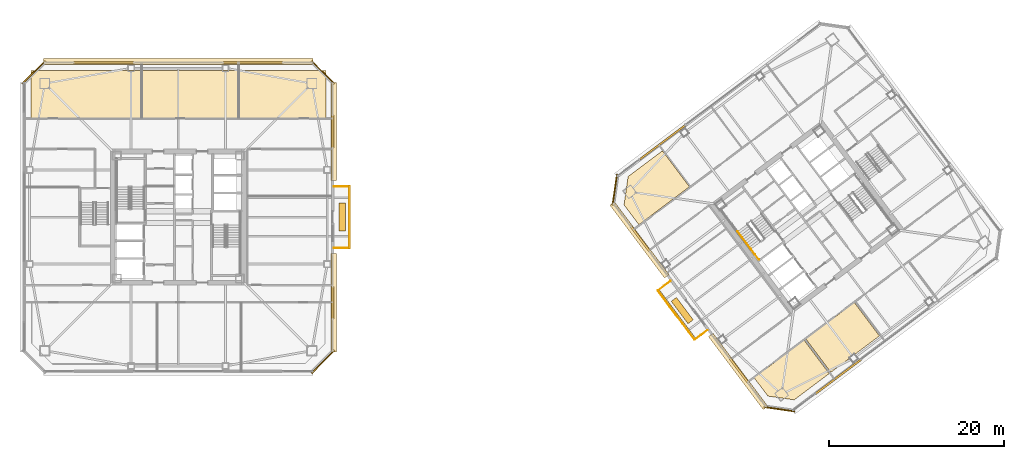
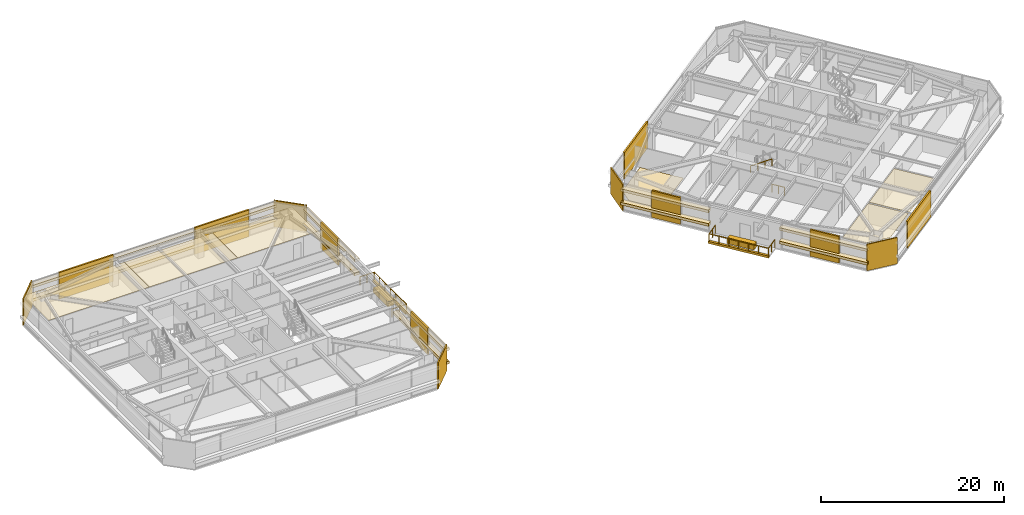
# One storey, part 38 of 41: 33 coverings, 8 railings.
"""IFC4 building model written with IfcOpenShell, lengths in metres."""

from ifc_helpers import new_model, si_unit, direction, frame, origin, origin_2d, place, context, subcontext, project, spatial, polyline, rectangle, outline, extrude, material, layer, layer_set, type_object, element, save


model = new_model("IFC4")

# Units and contexts
model_context = context("Model", 3, precision=1e-05, world=origin(), true_north=direction((0.0, 1.0)))
body_context = subcontext(model_context, "Body", "Model", "MODEL_VIEW")
ifc_project = project(units=[si_unit("LENGTHUNIT", "METRE"), si_unit("AREAUNIT", "SQUARE_METRE"), si_unit("VOLUMEUNIT", "CUBIC_METRE"), si_unit("PLANEANGLEUNIT", "RADIAN"), si_unit("MASSUNIT", "GRAM", prefix="KILO")], contexts=[model_context])

# Site, building, storey
site_placement = place(None, origin())
site = spatial("IfcSite", under=ifc_project, at=site_placement, CompositionType="ELEMENT")
building_placement = place(site_placement, origin())
building = spatial("IfcBuilding", under=site, at=building_placement, Name="Tashvorn Skyway Center", CompositionType="ELEMENT")
storey_placement = place(building_placement, frame((0.0, 0.0, 171.199951171875)))
storey = spatial("IfcBuildingStorey", under=building, at=storey_placement, Name="L46", CompositionType="ELEMENT", Elevation=171.199951171875)

# Coverings
ifc_material_1 = material(Name="Precast concrete C40/50", Category="concrete")
ifc_layer_1 = layer(ifc_material_1, 0.199951171875)
ifc_layer_set_1 = layer_set([ifc_layer_1], Name="Precast concrete C40/50")
covering_type_1 = type_object("IfcCoveringType", Name="COV-BRACE-CLAD", PredefinedType="CLADDING", material=ifc_layer_set_1)
for number, where, z_axis, x_axis, name in (
    (1, (33.45556640625, 49.679931640625, 0.0), (0.0, 0.0, 1.0), (1.0, 0.0, 0.0), "Tower 1 L46 North Unitised Curtain Wall Mega-Brace Cladding Band 1"),
    (2, (50.54443359375, 49.679931640625, 0.0), (0.0, 0.0, 1.0), (1.0, 0.0, 0.0), "Tower 1 L46 North Unitised Curtain Wall Mega-Brace Cladding Band 2"),
):
    element("IfcCovering", number, at=place(storey_placement, frame(where, z_axis=z_axis, x_axis=x_axis)), inside=storey, type_object=covering_type_1, Name=name, PredefinedType="CLADDING", context=body_context, shape_type="SweptSolid", body=[
        extrude(rectangle(XDim=6.83544921875, YDim=0.199951171875, at=origin_2d()), origin(), (0.0, 0.0, 1.0), 3.550048828125),
    ])
for number, where, z_axis, x_axis, name in (
    (3, (59.679931640625, 41.81494140625, 0.0), (0.0, 0.0, 1.0), (0.0, -1.0, 0.0), "Tower 1 L46 East Curtain Wall L Mega-Brace Cladding Band 1"),
    (4, (59.679931640625, 22.18505859375, 0.0), (0.0, 0.0, 1.0), (0.0, -1.0, 0.0), "Tower 1 L46 East Curtain Wall R Mega-Brace Cladding Band 1"),
):
    element("IfcCovering", number, at=place(storey_placement, frame(where, z_axis=z_axis, x_axis=x_axis)), inside=storey, type_object=covering_type_1, Name=name, PredefinedType="CLADDING", context=body_context, shape_type="SweptSolid", body=[
        extrude(rectangle(XDim=3.7099609375, YDim=0.199951171875, at=origin_2d()), origin(), (0.0, 0.0, 1.0), 3.550048828125),
    ])
covering_1_placement = place(storey_placement, frame((117.587890625, 13.716064453125, 0.0), z_axis=(0.0, 0.0, 1.0), x_axis=(-0.799999996291, -0.600000004945, 0.0)))
element("IfcCovering", 5, at=covering_1_placement, inside=storey, type_object=covering_type_1, Name="Tower 2 L46 South Unitised Curtain Wall Mega-Brace Cladding Band 2", PredefinedType="CLADDING", context=body_context, shape_type="SweptSolid", body=[
    extrude(rectangle(XDim=6.47998046875, YDim=0.199951171875, at=origin_2d()), origin(), (0.0, 0.0, 1.0), 3.550048828125),
])
for number, where, z_axis, x_axis, name in (
    (6, (106.22509765625, 14.39990234375, 0.0), (0.0, 0.0, 1.0), (-0.600000004945, 0.799999996291, 0.0), "Tower 2 L46 West Curtain Wall L Mega-Brace Cladding Band 1"),
    (7, (94.927001953125, 29.464111328125, 0.0), (0.0, 0.0, 1.0), (-0.600000004945, 0.799999996291, 0.0), "Tower 2 L46 West Curtain Wall R Mega-Brace Cladding Band 1"),
):
    element("IfcCovering", number, at=place(storey_placement, frame(where, z_axis=z_axis, x_axis=x_axis)), inside=storey, type_object=covering_type_1, Name=name, PredefinedType="CLADDING", context=body_context, shape_type="SweptSolid", body=[
        extrude(rectangle(XDim=3.443359375, YDim=0.199951171875, at=origin_2d()), origin(), (0.0, 0.0, 1.0), 3.550048828125),
    ])
covering_2_placement = place(storey_placement, frame((97.451904296875, 40.56396484375, 0.0), z_axis=(0.0, 0.0, 1.0), x_axis=(0.799999996291, 0.600000004945, 0.0)))
element("IfcCovering", 8, at=covering_2_placement, inside=storey, type_object=covering_type_1, Name="Tower 2 L46 North Unitised Curtain Wall Mega-Brace Cladding Band 1", PredefinedType="CLADDING", context=body_context, shape_type="SweptSolid", body=[
    extrude(rectangle(XDim=6.47998046875, YDim=0.199951171875, at=origin_2d()), origin(), (0.0, 0.0, 1.0), 3.550048828125),
])
ifc_material_2 = material(Name="Mineral-fibre acoustic ceiling tile on suspended grid")
ifc_layer_2 = layer(ifc_material_2, 0.02001953125)
ifc_layer_set_2 = layer_set([ifc_layer_2], Name="Mineral-fibre acoustic ceiling tile on suspended grid")
covering_type_2 = type_object("IfcCoveringType", Name="COV-CEIL-20", PredefinedType="CEILING", material=ifc_layer_set_2)
covering_3_placement = place(storey_placement, frame((0.0, 0.0, 2.703125)))
element("IfcCovering", 9, at=covering_3_placement, inside=storey, type_object=covering_type_2, Name="Tower 1 L46 Operations Control Room Acoustic Ceiling", PredefinedType="CEILING", context=body_context, shape_type="SweptSolid", body=[
    extrude(outline(polyline([(25.10009765625, 43.300048828125), (37.800048828125, 43.300048828125), (37.800048828125, 48.800048828125), (25.10009765625, 48.800048828125), (25.10009765625, 43.300048828125)])), origin(), (0.0, 0.0, 1.0), 0.02001953125),
])
covering_4_placement = place(storey_placement, frame((0.0, 0.0, 2.703125)))
element("IfcCovering", 10, at=covering_4_placement, inside=storey, type_object=covering_type_2, Name="Tower 1 L46 Operations Control Room Acoustic Ceiling", PredefinedType="CEILING", context=body_context, shape_type="SweptSolid", body=[
    extrude(outline(polyline([(37.800048828125, 43.300048828125), (48.89990234375, 43.300048828125), (48.89990234375, 48.800048828125), (37.800048828125, 48.800048828125), (37.800048828125, 43.300048828125)])), origin(), (0.0, 0.0, 1.0), 0.02001953125),
])
covering_5_placement = place(storey_placement, frame((0.0, 0.0, 2.703125)))
element("IfcCovering", 11, at=covering_5_placement, inside=storey, type_object=covering_type_2, Name="Tower 1 L46 Security Control Room Acoustic Ceiling", PredefinedType="CEILING", context=body_context, shape_type="SweptSolid", body=[
    extrude(outline(polyline([(48.89990234375, 43.300048828125), (58.89990234375, 43.300048828125), (58.89990234375, 48.800048828125), (48.89990234375, 48.800048828125), (48.89990234375, 43.300048828125)])), origin(), (0.0, 0.0, 1.0), 0.02001953125),
])
covering_6_placement = place(storey_placement, frame((0.0, 0.0, 2.703125)))
element("IfcCovering", 12, at=covering_6_placement, inside=storey, type_object=covering_type_2, Name="Tower 2 L46 Conference Room Acoustic Ceiling", PredefinedType="CEILING", context=body_context, shape_type="SweptSolid", body=[
    extrude(outline(polyline([(107.949951171875, 13.60009765625), (113.677978515625, 17.89599609375), (116.552001953125, 14.06396484375), (112.552001953125, 11.06396484375), (109.528076171875, 11.49609375), (107.949951171875, 13.60009765625)])), origin(), (0.0, 0.0, 1.0), 0.02001953125),
])
covering_7_placement = place(storey_placement, frame((0.0, 0.0, 2.703125)))
element("IfcCovering", 13, at=covering_7_placement, inside=storey, type_object=covering_type_2, Name="Tower 2 L46 Staff Fitness Club Acoustic Ceiling", PredefinedType="CEILING", context=body_context, shape_type="SweptSolid", body=[
    extrude(outline(polyline([(113.8701171875, 18.0400390625), (119.43798828125, 22.216064453125), (122.31201171875, 18.384033203125), (116.743896484375, 14.2080078125), (113.8701171875, 18.0400390625)])), origin(), (0.0, 0.0, 1.0), 0.02001953125),
])
ifc_material_3 = material(Name="Polished Mojave desert-aggregate terrazzo and cover plate")
ifc_layer_3 = layer(ifc_material_3, 0.0400390625)
ifc_layer_set_3 = layer_set([ifc_layer_3], Name="Polished Mojave desert-aggregate terrazzo and cover plate")
covering_type_3 = type_object("IfcCoveringType", Name="COV-FLR-40", PredefinedType="FLOORING", material=ifc_layer_set_3)
covering_8_placement = place(storey_placement, origin())
element("IfcCovering", 14, at=covering_8_placement, inside=storey, type_object=covering_type_3, Name="Tower 2 L46 Conference Room Finish Flooring", PredefinedType="FLOORING", context=body_context, shape_type="SweptSolid", body=[
    extrude(outline(polyline([(100.5458984375, 35.471923828125), (94.75390625, 31.1279296875), (93.055908203125, 33.39208984375), (93.52001953125, 36.639892578125), (97.4560546875, 39.592041015625), (100.5458984375, 35.471923828125)])), origin(), (0.0, 0.0, 1.0), 0.0400390625),
])
ifc_material_4 = material(Name="Perforated ceramic-coated bronze aluminium solar screen", Category="aluminium")
ifc_layer_4 = layer(ifc_material_4, 0.85009765625)
ifc_layer_set_4 = layer_set([ifc_layer_4], Name="Perforated ceramic-coated bronze aluminium solar screen")
covering_type_4 = type_object("IfcCoveringType", Name="COV-SOLAR-BAND", PredefinedType="CLADDING", material=ifc_layer_set_4)
for number, where, z_axis, x_axis, name in (
    (15, (42.0, 49.820068359375, 0.919921875), (0.0, 0.0, 1.0), (1.0, 0.0, 0.0), "L46 Perforated Ceramic-Metal Solar Screen Louvre Band North 1"),
    (16, (42.0, 49.820068359375, 2.72021484375), (0.0, 0.0, 1.0), (1.0, 0.0, 0.0), "L46 Perforated Ceramic-Metal Solar Screen Louvre Band North 2"),
):
    element("IfcCovering", number, at=place(storey_placement, frame(where, z_axis=z_axis, x_axis=x_axis)), inside=storey, type_object=covering_type_4, Name=name, PredefinedType="CLADDING", context=body_context, shape_type="SweptSolid", body=[
        extrude(rectangle(XDim=30.8798828125, YDim=0.639892578125, at=origin_2d()), origin(), (0.0, 0.0, 1.0), 0.360107421875),
    ])
for number, where, z_axis, x_axis, name in (
    (17, (59.820068359375, 41.81494140625, 0.919921875), (0.0, 0.0, 1.0), (0.0, -1.0, 0.0), "L46 Perforated Ceramic-Metal Solar Screen Louvre Band East 1"),
    (18, (59.820068359375, 41.81494140625, 2.72021484375), (0.0, 0.0, 1.0), (0.0, -1.0, 0.0), "L46 Perforated Ceramic-Metal Solar Screen Louvre Band East 2"),
    (19, (59.820068359375, 22.18505859375, 0.919921875), (0.0, 0.0, 1.0), (0.0, -1.0, 0.0), "L46 Perforated Ceramic-Metal Solar Screen Louvre Band East 1"),
    (20, (59.820068359375, 22.18505859375, 2.72021484375), (0.0, 0.0, 1.0), (0.0, -1.0, 0.0), "L46 Perforated Ceramic-Metal Solar Screen Louvre Band East 2"),
):
    element("IfcCovering", number, at=place(storey_placement, frame(where, z_axis=z_axis, x_axis=x_axis)), inside=storey, type_object=covering_type_4, Name=name, PredefinedType="CLADDING", context=body_context, shape_type="SweptSolid", body=[
        extrude(rectangle(XDim=11.25, YDim=0.639892578125, at=origin_2d()), origin(), (0.0, 0.0, 1.0), 0.360107421875),
    ])
for number, where, z_axis, x_axis, name in (
    (21, (106.113037109375, 14.31591796875, 0.919921875), (0.0, 0.0, 1.0), (-0.600000004945, 0.799999996291, 0.0), "L46 Perforated Ceramic-Metal Solar Screen Louvre Band West 1"),
    (22, (106.113037109375, 14.31591796875, 2.72021484375), (0.0, 0.0, 1.0), (-0.600000004945, 0.799999996291, 0.0), "L46 Perforated Ceramic-Metal Solar Screen Louvre Band West 2"),
    (23, (94.81494140625, 29.3798828125, 0.919921875), (0.0, 0.0, 1.0), (-0.600000004945, 0.799999996291, 0.0), "L46 Perforated Ceramic-Metal Solar Screen Louvre Band West 1"),
    (24, (94.81494140625, 29.3798828125, 2.72021484375), (0.0, 0.0, 1.0), (-0.600000004945, 0.799999996291, 0.0), "L46 Perforated Ceramic-Metal Solar Screen Louvre Band West 2"),
):
    element("IfcCovering", number, at=place(storey_placement, frame(where, z_axis=z_axis, x_axis=x_axis)), inside=storey, type_object=covering_type_4, Name=name, PredefinedType="CLADDING", context=body_context, shape_type="SweptSolid", body=[
        extrude(rectangle(XDim=10.449951171875, YDim=0.639892578125, at=origin_2d()), origin(), (0.0, 0.0, 1.0), 0.360107421875),
    ])
ifc_layer_5 = layer(ifc_material_1, 0.35009765625)
ifc_layer_set_5 = layer_set([ifc_layer_5], Name="Precast concrete C40/50")
covering_type_5 = type_object("IfcCoveringType", Name="COV-STONE-TRIM", PredefinedType="CLADDING", material=ifc_layer_set_5)
covering_9_placement = place(storey_placement, frame((61.56005859375, 32.0, -0.16015625), z_axis=(0.0, 0.0, 1.0), x_axis=(0.0, -1.0, 0.0)))
element("IfcCovering", 25, at=covering_9_placement, inside=storey, type_object=covering_type_5, Name="Tower 1 L46 Spiral Terrace Terracotta Fascia", PredefinedType="CLADDING", context=body_context, shape_type="SweptSolid", body=[
    extrude(rectangle(XDim=7.199951171875, YDim=0.280029296875, at=origin_2d()), origin(), (0.0, 0.0, 1.0), 0.280029296875),
])
covering_10_placement = place(storey_placement, frame((60.75, 32.0, 0.0), z_axis=(0.0, 0.0, 1.0), x_axis=(0.0, -1.0, 0.0)))
element("IfcCovering", 26, at=covering_10_placement, inside=storey, type_object=covering_type_5, Name="Tower 1 L46 Spiral Terrace Planter", PredefinedType="CLADDING", context=body_context, shape_type="SweptSolid", body=[
    extrude(rectangle(XDim=3.199951171875, YDim=0.75, at=origin_2d()), origin(), (0.0, 0.0, 1.0), 0.679931640625),
])
for number, where, z_axis, x_axis, name in (
    (27, (25.429931640625, 48.570068359375, 0.02001953125), (0.0, 0.0, 1.0), (-0.707106781187, -0.707106781187, 0.0), "Tower 1 L46 NW Mojave Limestone Corner Quoin"),
    (28, (58.570068359375, 48.570068359375, 0.02001953125), (0.0, 0.0, 1.0), (0.707106781187, -0.707106781187, 0.0), "Tower 1 L46 NE Mojave Limestone Corner Quoin"),
    (29, (58.570068359375, 15.429931640625, 0.02001953125), (0.0, 0.0, 1.0), (0.707106781187, 0.707106781187, 0.0), "Tower 1 L46 SE Mojave Limestone Corner Quoin"),
):
    element("IfcCovering", number, at=place(storey_placement, frame(where, z_axis=z_axis, x_axis=x_axis)), inside=storey, type_object=covering_type_5, Name=name, PredefinedType="CLADDING", context=body_context, shape_type="SweptSolid", body=[
        extrude(rectangle(XDim=3.695556640625, YDim=0.139892578125, at=origin_2d()), origin(), (0.0, 0.0, 1.0), 3.510009765625),
    ])
covering_11_placement = place(storey_placement, frame((99.072021484375, 20.803955078125, -0.16015625), z_axis=(0.0, 0.0, 1.0), x_axis=(-0.600000004945, 0.799999996291, 0.0)))
element("IfcCovering", 30, at=covering_11_placement, inside=storey, type_object=covering_type_5, Name="Tower 2 L46 Spiral Terrace Terracotta Fascia", PredefinedType="CLADDING", context=body_context, shape_type="SweptSolid", body=[
    extrude(rectangle(XDim=7.199951171875, YDim=0.280029296875, at=origin_2d()), origin(), (0.0, 0.0, 1.0), 0.280029296875),
])
covering_12_placement = place(storey_placement, frame((99.719970703125, 21.2900390625, 0.0), z_axis=(0.0, 0.0, 1.0), x_axis=(-0.600000004945, 0.799999996291, 0.0)))
element("IfcCovering", 31, at=covering_12_placement, inside=storey, type_object=covering_type_5, Name="Tower 2 L46 Spiral Terrace Planter", PredefinedType="CLADDING", context=body_context, shape_type="SweptSolid", body=[
    extrude(rectangle(XDim=3.199951171875, YDim=0.75, at=origin_2d()), origin(), (0.0, 0.0, 1.0), 0.679931640625),
])
for number, where, z_axis, x_axis, name in (
    (32, (110.85595703125, 9.991943359375, 0.02001953125), (0.0, 0.0, 1.0), (-0.989949494535, 0.141421350118, 0.0), "Tower 2 L46 SW Mojave Limestone Corner Quoin"),
    (33, (91.991943359375, 35.14404296875, 0.02001953125), (0.0, 0.0, 1.0), (-0.141421350118, -0.989949494535, 0.0), "Tower 2 L46 NW Mojave Limestone Corner Quoin"),
):
    element("IfcCovering", number, at=place(storey_placement, frame(where, z_axis=z_axis, x_axis=x_axis)), inside=storey, type_object=covering_type_5, Name=name, PredefinedType="CLADDING", context=body_context, shape_type="SweptSolid", body=[
        extrude(rectangle(XDim=3.55419921875, YDim=0.139892578125, at=origin_2d()), origin(), (0.0, 0.0, 1.0), 3.510009765625),
    ])

# Railings
ifc_material_5 = material(Name="Galvanized steel S355", Category="steel")
railing_type_1 = type_object("IfcRailingType", Name="RAIL-GUARD-1120", PredefinedType="GUARDRAIL", material=ifc_material_5)
railing_1_placement = place(storey_placement, frame((59.800048828125, 28.47998046875, 0.0)))
element("IfcRailing", 34, at=railing_1_placement, inside=storey, type_object=railing_type_1, Name="L46 Tower 1 Terrace Guardrail 01", PredefinedType="GUARDRAIL", context=body_context, shape_type="SweptSolid", body=[
    extrude(rectangle(XDim=0.048095703125, YDim=0.048095703125, at=origin_2d()), frame((0.0, 0.0, 1.09619140625), z_axis=(1.0, 0.0, 0.0), x_axis=(0.0, 1.0, 0.0)), (0.0, 0.0, 1.0), 1.820068359375),
    extrude(rectangle(XDim=0.0419921875, YDim=0.0419921875, at=origin_2d()), origin(), (0.0, 0.0, 1.0), 1.072021484375),
    extrude(rectangle(XDim=0.0419921875, YDim=0.0419921875, at=origin_2d()), frame((0.91015625, 0.0, 0.0)), (0.0, 0.0, 1.0), 1.072021484375),
    extrude(rectangle(XDim=0.0419921875, YDim=0.0419921875, at=origin_2d()), frame((1.820068359375, 0.0, 0.0)), (0.0, 0.0, 1.0), 1.072021484375),
])
railing_2_placement = place(storey_placement, frame((61.6201171875, 28.47998046875, 0.0)))
element("IfcRailing", 35, at=railing_2_placement, inside=storey, type_object=railing_type_1, Name="L46 Tower 1 Terrace Guardrail 02", PredefinedType="GUARDRAIL", context=body_context, shape_type="SweptSolid", body=[
    extrude(rectangle(XDim=0.048095703125, YDim=0.048095703125, at=origin_2d()), frame((0.0, 0.0, 1.09619140625), z_axis=(0.0, 1.0, 0.0), x_axis=(-1.0, 0.0, 0.0)), (0.0, 0.0, 1.0), 7.0400390625),
    extrude(rectangle(XDim=0.0419921875, YDim=0.0419921875, at=origin_2d()), origin(), (0.0, 0.0, 1.0), 1.072021484375),
    extrude(rectangle(XDim=0.0419921875, YDim=0.0419921875, at=origin_2d()), frame((0.0, 1.17333984375, 0.0)), (0.0, 0.0, 1.0), 1.072021484375),
    extrude(rectangle(XDim=0.0419921875, YDim=0.0419921875, at=origin_2d()), frame((0.0, 2.3466796875, 0.0)), (0.0, 0.0, 1.0), 1.072021484375),
    extrude(rectangle(XDim=0.0419921875, YDim=0.0419921875, at=origin_2d()), frame((0.0, 3.52001953125, 0.0)), (0.0, 0.0, 1.0), 1.072021484375),
    extrude(rectangle(XDim=0.0419921875, YDim=0.0419921875, at=origin_2d()), frame((0.0, 4.693359375, 0.0)), (0.0, 0.0, 1.0), 1.072021484375),
    extrude(rectangle(XDim=0.0419921875, YDim=0.0419921875, at=origin_2d()), frame((0.0, 5.86669921875, 0.0)), (0.0, 0.0, 1.0), 1.072021484375),
    extrude(rectangle(XDim=0.0419921875, YDim=0.0419921875, at=origin_2d()), frame((0.0, 7.0400390625, 0.0)), (0.0, 0.0, 1.0), 1.072021484375),
])
railing_3_placement = place(storey_placement, frame((61.6201171875, 35.52001953125, 0.0)))
element("IfcRailing", 36, at=railing_3_placement, inside=storey, type_object=railing_type_1, Name="L46 Tower 1 Terrace Guardrail 03", PredefinedType="GUARDRAIL", context=body_context, shape_type="SweptSolid", body=[
    extrude(rectangle(XDim=0.048095703125, YDim=0.048095703125, at=origin_2d()), frame((0.0, 0.0, 1.09619140625), z_axis=(-1.0, 0.0, 0.0), x_axis=(0.0, -1.0, 0.0)), (0.0, 0.0, 1.0), 1.820068359375),
    extrude(rectangle(XDim=0.0419921875, YDim=0.0419921875, at=origin_2d()), origin(), (0.0, 0.0, 1.0), 1.072021484375),
    extrude(rectangle(XDim=0.0419921875, YDim=0.0419921875, at=origin_2d()), frame((-0.91015625, 0.0, 0.0)), (0.0, 0.0, 1.0), 1.072021484375),
    extrude(rectangle(XDim=0.0419921875, YDim=0.0419921875, at=origin_2d()), frame((-1.820068359375, 0.0, 0.0)), (0.0, 0.0, 1.0), 1.072021484375),
])
railing_4_placement = place(storey_placement, frame((102.592041015625, 19.0439453125, 0.0)))
element("IfcRailing", 37, at=railing_4_placement, inside=storey, type_object=railing_type_1, Name="L46 Tower 2 Terrace Guardrail 01", PredefinedType="GUARDRAIL", context=body_context, shape_type="SweptSolid", body=[
    extrude(rectangle(XDim=0.048095703125, YDim=0.048095703125, at=origin_2d()), frame((0.0, 0.0, 1.09619140625), z_axis=(-0.8, -0.6, 0.0), x_axis=(0.6, -0.8, 0.0)), (0.0, 0.0, 1.0), 1.820068359375),
    extrude(rectangle(XDim=0.0419921875, YDim=0.0419921875, at=origin_2d()), origin(), (0.0, 0.0, 1.0), 1.072021484375),
    extrude(rectangle(XDim=0.0419921875, YDim=0.0419921875, at=origin_2d()), frame((-0.72802734375, -0.5458984375, 0.0)), (0.0, 0.0, 1.0), 1.072021484375),
    extrude(rectangle(XDim=0.0419921875, YDim=0.0419921875, at=origin_2d()), frame((-1.4560546875, -1.092041015625, 0.0)), (0.0, 0.0, 1.0), 1.072021484375),
])
railing_5_placement = place(storey_placement, frame((101.135986328125, 17.951904296875, 0.0)))
element("IfcRailing", 38, at=railing_5_placement, inside=storey, type_object=railing_type_1, Name="L46 Tower 2 Terrace Guardrail 02", PredefinedType="GUARDRAIL", context=body_context, shape_type="SweptSolid", body=[
    extrude(rectangle(XDim=0.048095703125, YDim=0.048095703125, at=origin_2d()), frame((0.0, 0.0, 1.09619140625), z_axis=(-0.599983353895, 0.800012484308, 0.0), x_axis=(-0.800012484308, -0.599983353895, 0.0)), (0.0, 0.0, 1.0), 7.0400390625),
    extrude(rectangle(XDim=0.0419921875, YDim=0.0419921875, at=origin_2d()), origin(), (0.0, 0.0, 1.0), 1.072021484375),
    extrude(rectangle(XDim=0.0419921875, YDim=0.0419921875, at=origin_2d()), frame((-0.7041015625, 0.938720703125, 0.0)), (0.0, 0.0, 1.0), 1.072021484375),
    extrude(rectangle(XDim=0.0419921875, YDim=0.0419921875, at=origin_2d()), frame((-1.407958984375, 1.87744140625, 0.0)), (0.0, 0.0, 1.0), 1.072021484375),
    extrude(rectangle(XDim=0.0419921875, YDim=0.0419921875, at=origin_2d()), frame((-2.11181640625, 2.81591796875, 0.0)), (0.0, 0.0, 1.0), 1.072021484375),
    extrude(rectangle(XDim=0.0419921875, YDim=0.0419921875, at=origin_2d()), frame((-2.81591796875, 3.754638671875, 0.0)), (0.0, 0.0, 1.0), 1.072021484375),
    extrude(rectangle(XDim=0.0419921875, YDim=0.0419921875, at=origin_2d()), frame((-3.52001953125, 4.693359375, 0.0)), (0.0, 0.0, 1.0), 1.072021484375),
    extrude(rectangle(XDim=0.0419921875, YDim=0.0419921875, at=origin_2d()), frame((-4.223876953125, 5.632080078125, 0.0)), (0.0, 0.0, 1.0), 1.072021484375),
])
railing_6_placement = place(storey_placement, frame((96.912109375, 23.583984375, 0.0)))
element("IfcRailing", 39, at=railing_6_placement, inside=storey, type_object=railing_type_1, Name="L46 Tower 2 Terrace Guardrail 03", PredefinedType="GUARDRAIL", context=body_context, shape_type="SweptSolid", body=[
    extrude(rectangle(XDim=0.048095703125, YDim=0.048095703125, at=origin_2d()), frame((0.0, 0.0, 1.09619140625), z_axis=(0.799951702488, 0.600064391284, 0.0), x_axis=(-0.600064391284, 0.799951702488, 0.0)), (0.0, 0.0, 1.0), 1.81982421875),
    extrude(rectangle(XDim=0.0419921875, YDim=0.0419921875, at=origin_2d()), origin(), (0.0, 0.0, 1.0), 1.072021484375),
    extrude(rectangle(XDim=0.0419921875, YDim=0.0419921875, at=origin_2d()), frame((0.72802734375, 0.5458984375, 0.0)), (0.0, 0.0, 1.0), 1.072021484375),
    extrude(rectangle(XDim=0.0419921875, YDim=0.0419921875, at=origin_2d()), frame((1.455810546875, 1.092041015625, 0.0)), (0.0, 0.0, 1.0), 1.072021484375),
])
ifc_material_6 = material(Name="Brushed stainless steel 316", Category="steel")
railing_type_2 = type_object("IfcRailingType", Name="RAIL-HAND-920", PredefinedType="HANDRAIL", material=ifc_material_6)
railing_7_placement = place(storey_placement, frame((106.072021484375, 30.35400390625, 1.95263671875)))
element("IfcRailing", 40, at=railing_7_placement, inside=storey, type_object=railing_type_2, Name="L46 ST-T2-1 stair handrail 2", PredefinedType="HANDRAIL", context=body_context, shape_type="SweptSolid", body=[
    extrude(rectangle(XDim=0.048095703125, YDim=0.048095703125, at=origin_2d()), frame((0.0, 0.0, 0.8759765625), z_axis=(0.506740800098, -0.675708949977, 0.535379469569), x_axis=(0.800023250257, 0.599968998406, 0.0)), (0.0, 0.0, 1.0), 2.983642578125),
    extrude(rectangle(XDim=0.0419921875, YDim=0.0419921875, at=origin_2d()), origin(), (0.0, 0.0, 1.0), 0.851806640625),
    extrude(rectangle(XDim=0.0419921875, YDim=0.0419921875, at=origin_2d()), frame((0.50390625, -0.672119140625, 0.532470703125)), (0.0, 0.0, 1.0), 0.851806640625),
    extrude(rectangle(XDim=0.0419921875, YDim=0.0419921875, at=origin_2d()), frame((1.008056640625, -1.343994140625, 1.06494140625)), (0.0, 0.0, 1.0), 0.851806640625),
    extrude(rectangle(XDim=0.0419921875, YDim=0.0419921875, at=origin_2d()), frame((1.511962890625, -2.01611328125, 1.597412109375)), (0.0, 0.0, 1.0), 0.851806640625),
])
ifc_material_7 = material(Name="Painted galvanized steel S355", Category="steel")
railing_type_3 = type_object("IfcRailingType", Name="RAIL-STGUARD-1100", PredefinedType="GUARDRAIL", material=ifc_material_7)
railing_8_placement = place(storey_placement, frame((108.49609375, 27.1220703125, 0.0)))
element("IfcRailing", 41, at=railing_8_placement, inside=storey, type_object=railing_type_3, Name="L46 ST-T2-1 stair guard 6", PredefinedType="GUARDRAIL", context=body_context, shape_type="SweptSolid", body=[
    extrude(rectangle(XDim=0.048095703125, YDim=0.048095703125, at=origin_2d()), frame((0.0, 0.0, 1.076171875), z_axis=(-0.600102796382, 0.799922892393, 0.0), x_axis=(-0.799922892393, -0.600102796382, 0.0)), (0.0, 0.0, 1.0), 1.52001953125),
    extrude(rectangle(XDim=0.0419921875, YDim=0.0419921875, at=origin_2d()), origin(), (0.0, 0.0, 1.0), 1.052001953125),
    extrude(rectangle(XDim=0.0419921875, YDim=0.0419921875, at=origin_2d()), frame((-0.4560546875, 0.60791015625, 0.0)), (0.0, 0.0, 1.0), 1.052001953125),
    extrude(rectangle(XDim=0.0419921875, YDim=0.0419921875, at=origin_2d()), frame((-0.912109375, 1.2158203125, 0.0)), (0.0, 0.0, 1.0), 1.052001953125),
])

save(model, "model.ifc")
